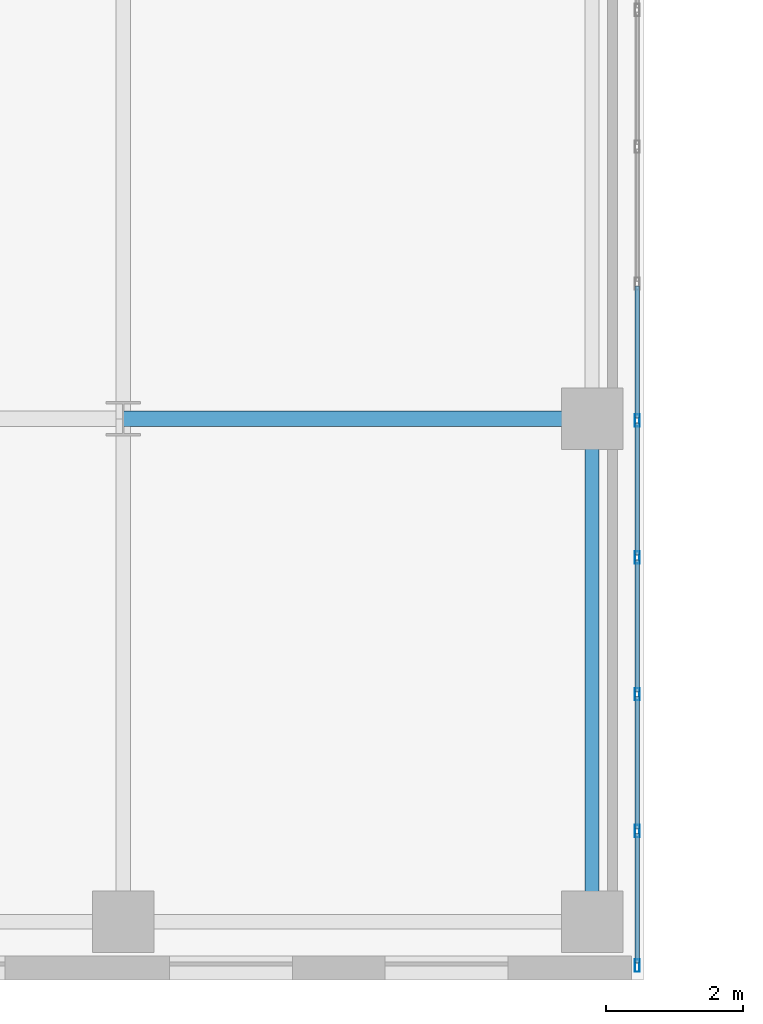
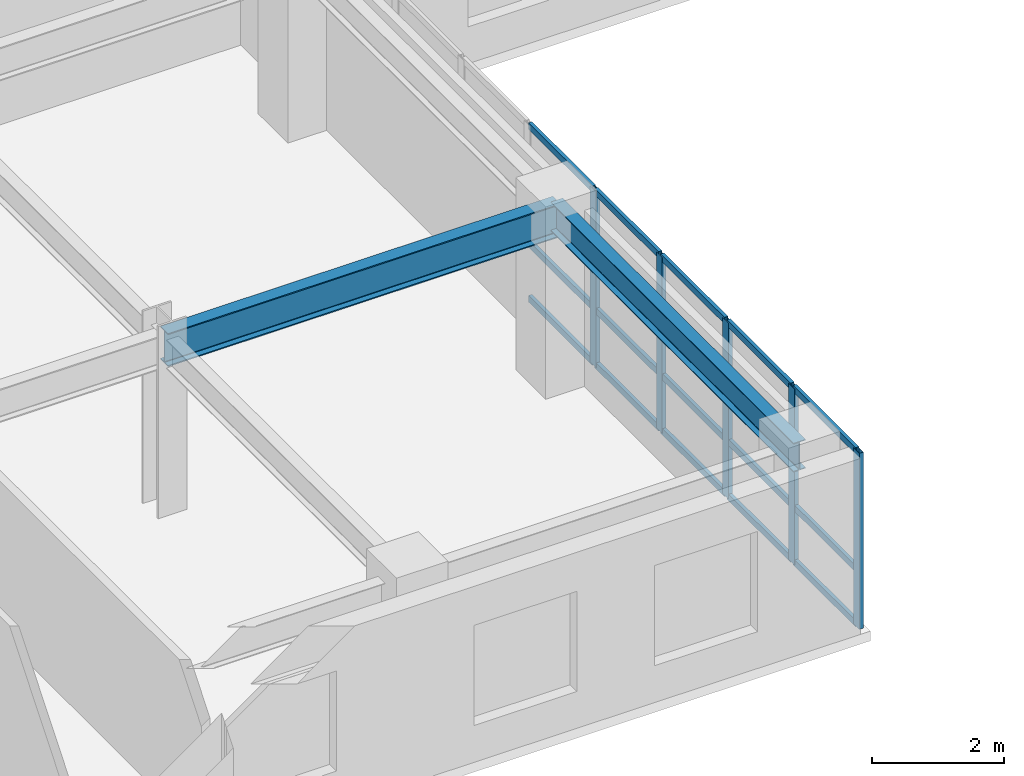
# One storey, part 2 of 16: 20 members, 2 beams, 1 element without a shape of its own.
"""IFC4 building model written with IfcOpenShell, lengths in metres."""

from ifc_helpers import new_model, si_unit, direction, frame, origin, origin_2d, place, context, subcontext, project, spatial, hollow_rectangle, i_section, extrude, source, transform, mapped, material, layer, layer_set, material_profile, profile_set, type_object, type_shapes, element, aggregate, save


model = new_model("IFC4")

# Units and contexts
model_context = context("Model", 3, precision=1e-05, world=origin(), true_north=direction((0.0, 1.0)))
body_context = subcontext(model_context, "Body", "Model", "MODEL_VIEW")
ifc_project = project(units=[si_unit("LENGTHUNIT", "METRE"), si_unit("AREAUNIT", "SQUARE_METRE"), si_unit("VOLUMEUNIT", "CUBIC_METRE"), si_unit("PLANEANGLEUNIT", "RADIAN"), si_unit("MASSUNIT", "GRAM", prefix="KILO")], contexts=[model_context])

# Site, building, storey
site_placement = place(None, origin())
site = spatial("IfcSite", under=ifc_project, at=site_placement, CompositionType="ELEMENT")
building_placement = place(site_placement, origin())
building = spatial("IfcBuilding", under=site, at=building_placement, Name="Tolvann Quenvar Hotel", CompositionType="ELEMENT")
storey_placement = place(building_placement, frame((0.0, 0.0, 92.35009765625)))
storey = spatial("IfcBuildingStorey", under=building, at=storey_placement, Name="L23", CompositionType="ELEMENT", Elevation=92.35009765625)

# Beams
ifc_material_1 = material(Name="Steel Grade 350", Category="steel")
ifc_material_profile_1 = material_profile(ifc_material_1, i_section(OverallWidth=0.22900390625, OverallDepth=0.612060546875, WebThickness=0.011962890625, FlangeThickness=0.01953125, FilletRadius=0.013916015625, at=origin_2d()), Name="610UB125")
ifc_profile_set_1 = profile_set([ifc_material_profile_1], Name="Steel Grade 350")
beam_type_1 = type_object("IfcBeamType", Name="BM_GIRD_610UB125", PredefinedType="BEAM", material=ifc_profile_set_1)
shared_shape_1 = source(origin(), body_context, "Body", "SweptSolid", [
    extrude(i_section(OverallWidth=0.22900390625, OverallDepth=0.612060546875, WebThickness=0.011962890625, FlangeThickness=0.01953125, FilletRadius=0.013916015625, at=origin_2d()), origin(), (0.0, 0.0, 1.0), 6.85009765625),
])
type_shapes(beam_type_1, [shared_shape_1])
beam_1_placement = place(storey_placement, frame((15.199951171875, 8.199951171875, 2.94384765625), z_axis=(1.0, 0.0, 0.0), x_axis=(0.0, 1.0, 0.0)))
element("IfcBeam", 1, at=beam_1_placement, inside=storey, type_object=beam_type_1, Name="BM-L23-EW-3-D3-E3", PredefinedType="BEAM", context=body_context, shape_type="MappedRepresentation", body=[
    mapped(shared_shape_1, transform((0.0, 0.0, 0.0), x_axis=(1.0, 0.0, 0.0), y_axis=(0.0, 1.0, 0.0), z_axis=(0.0, 0.0, 1.0), scale=1.0)),
])
ifc_material_profile_2 = material_profile(ifc_material_1, i_section(OverallWidth=0.208984375, OverallDepth=0.532958984375, WebThickness=0.01025390625, FlangeThickness=0.015625, FilletRadius=0.013916015625, at=origin_2d()), Name="530UB92")
ifc_profile_set_2 = profile_set([ifc_material_profile_2], Name="Steel Grade 350")
beam_type_2 = type_object("IfcBeamType", Name="BM_GIRD_530UB92", PredefinedType="BEAM", material=ifc_profile_set_2)
shared_shape_2 = source(origin(), body_context, "Body", "SweptSolid", [
    extrude(i_section(OverallWidth=0.208984375, OverallDepth=0.532958984375, WebThickness=0.01025390625, FlangeThickness=0.015625, FilletRadius=0.013916015625, at=origin_2d()), origin(), (0.0, 0.0, 1.0), 7.349853515625),
])
type_shapes(beam_type_2, [shared_shape_2])
beam_2_placement = place(storey_placement, frame((22.050048828125, 0.85009765625, 2.9833984375), z_axis=(0.0, 1.0, 0.0), x_axis=(-1.0, 0.0, 0.0)))
element("IfcBeam", 2, at=beam_2_placement, inside=storey, type_object=beam_type_2, Name="BM-L23-NS-E2-E3", PredefinedType="BEAM", context=body_context, shape_type="MappedRepresentation", body=[
    mapped(shared_shape_2, transform((0.0, 0.0, 0.0), x_axis=(1.0, 0.0, 0.0), y_axis=(0.0, 1.0, 0.0), z_axis=(0.0, 0.0, 1.0), scale=1.0)),
])

# Curtain wall, members
ifc_material_2 = material(Name="Thermally broken anodised architectural aluminium 6063-T6 and laminated low-E glass", Category="aluminium")
ifc_layer = layer(ifc_material_2, 0.179931640625)
ifc_layer_set = layer_set([ifc_layer], Name="Thermally broken anodised architectural aluminium 6063-T6 and laminated low-E glass")
curtain_wall_type = type_object("IfcCurtainWallType", Name="CW_SYS_SLOT_03", PredefinedType="USERDEFINED", material=ifc_layer_set)
curtain_wall_placement = place(storey_placement, origin())
curtain_wall = element("IfcCurtainWall", 3, at=curtain_wall_placement, inside=storey, type_object=curtain_wall_type, Name="Curtain Wall CW-SLOT-03 (CWR-L23-E05)", ObjectType="UNITISED CURTAIN WALL", PredefinedType="USERDEFINED")
ifc_material_3 = material(Name="Anodised architectural aluminium 6063-T6 framing", Category="aluminium")
ifc_material_profile_3 = material_profile(ifc_material_3, hollow_rectangle(XDim=0.06005859375, YDim=0.1201171875, WallThickness=0.00341796875, at=origin_2d()), Name="120x60x3.5RHS")
ifc_profile_set_3 = profile_set([ifc_material_profile_3], Name="Anodised architectural aluminium 6063-T6 framing")
member_type_1 = type_object("IfcMemberType", Name="CW_TRAN_120x60", PredefinedType="USERDEFINED", material=ifc_profile_set_3)
shared_shape_3 = source(origin(), body_context, "Body", "SweptSolid", [
    extrude(hollow_rectangle(XDim=0.06005859375, YDim=0.1201171875, WallThickness=0.00341796875, at=origin_2d()), origin(), (0.0, 0.0, 1.0), 1.894775390625),
])
member_1_placement = place(storey_placement, frame((22.7099609375, 0.2451171875, 0.02978515625), z_axis=(0.0, 1.0, 0.0), x_axis=(-1.0, 0.0, 0.0)))
member_1 = element("IfcMember", 4, at=member_1_placement, type_object=member_type_1, Name="CW-SLOT-03 transom 1.1", ObjectType="TRANSOM", PredefinedType="USERDEFINED", context=body_context, shape_type="MappedRepresentation", body=[
    mapped(shared_shape_3, transform((0.0, 0.0, 0.0), x_axis=(1.0, 0.0, 0.0), y_axis=(0.0, 1.0, 0.0), z_axis=(0.0, 0.0, 1.0), scale=1.0)),
])
member_2_placement = place(storey_placement, frame((22.7099609375, 0.2451171875, 1.039794921875), z_axis=(0.0, 1.0, 0.0), x_axis=(-1.0, 0.0, 0.0)))
member_2 = element("IfcMember", 5, at=member_2_placement, type_object=member_type_1, Name="CW-SLOT-03 transom 1.2", ObjectType="TRANSOM", PredefinedType="USERDEFINED", context=body_context, shape_type="MappedRepresentation", body=[
    mapped(shared_shape_3, transform((0.0, 0.0, 0.0), x_axis=(1.0, 0.0, 0.0), y_axis=(0.0, 1.0, 0.0), z_axis=(0.0, 0.0, 1.0), scale=1.0)),
])
member_3_placement = place(storey_placement, frame((22.7099609375, 0.2451171875, 3.219970703125), z_axis=(0.0, 1.0, 0.0), x_axis=(-1.0, 0.0, 0.0)))
member_3 = element("IfcMember", 6, at=member_3_placement, type_object=member_type_1, Name="CW-SLOT-03 transom 1.3", ObjectType="TRANSOM", PredefinedType="USERDEFINED", context=body_context, shape_type="MappedRepresentation", body=[
    mapped(shared_shape_3, transform((0.0, 0.0, 0.0), x_axis=(1.0, 0.0, 0.0), y_axis=(0.0, 1.0, 0.0), z_axis=(0.0, 0.0, 1.0), scale=1.0)),
])
shared_shape_4 = source(origin(), body_context, "Body", "SweptSolid", [
    extrude(hollow_rectangle(XDim=0.06005859375, YDim=0.1201171875, WallThickness=0.00341796875, at=origin_2d()), origin(), (0.0, 0.0, 1.0), 1.929931640625),
])
type_shapes(member_type_1, [shared_shape_3, shared_shape_4])
member_4_placement = place(storey_placement, frame((22.7099609375, 2.2099609375, 0.02978515625), z_axis=(0.0, 1.0, 0.0), x_axis=(-1.0, 0.0, 0.0)))
member_4 = element("IfcMember", 7, at=member_4_placement, type_object=member_type_1, Name="CW-SLOT-03 transom 2.1", ObjectType="TRANSOM", PredefinedType="USERDEFINED", context=body_context, shape_type="MappedRepresentation", body=[
    mapped(shared_shape_4, transform((0.0, 0.0, 0.0), x_axis=(1.0, 0.0, 0.0), y_axis=(0.0, 1.0, 0.0), z_axis=(0.0, 0.0, 1.0), scale=1.0)),
])
member_5_placement = place(storey_placement, frame((22.7099609375, 2.2099609375, 1.039794921875), z_axis=(0.0, 1.0, 0.0), x_axis=(-1.0, 0.0, 0.0)))
member_5 = element("IfcMember", 8, at=member_5_placement, type_object=member_type_1, Name="CW-SLOT-03 transom 2.2", ObjectType="TRANSOM", PredefinedType="USERDEFINED", context=body_context, shape_type="MappedRepresentation", body=[
    mapped(shared_shape_4, transform((0.0, 0.0, 0.0), x_axis=(1.0, 0.0, 0.0), y_axis=(0.0, 1.0, 0.0), z_axis=(0.0, 0.0, 1.0), scale=1.0)),
])
member_6_placement = place(storey_placement, frame((22.7099609375, 2.2099609375, 3.219970703125), z_axis=(0.0, 1.0, 0.0), x_axis=(-1.0, 0.0, 0.0)))
member_6 = element("IfcMember", 9, at=member_6_placement, type_object=member_type_1, Name="CW-SLOT-03 transom 2.3", ObjectType="TRANSOM", PredefinedType="USERDEFINED", context=body_context, shape_type="MappedRepresentation", body=[
    mapped(shared_shape_4, transform((0.0, 0.0, 0.0), x_axis=(1.0, 0.0, 0.0), y_axis=(0.0, 1.0, 0.0), z_axis=(0.0, 0.0, 1.0), scale=1.0)),
])
member_7_placement = place(storey_placement, frame((22.7099609375, 4.2099609375, 0.02978515625), z_axis=(0.0, 1.0, 0.0), x_axis=(-1.0, 0.0, 0.0)))
member_7 = element("IfcMember", 10, at=member_7_placement, type_object=member_type_1, Name="CW-SLOT-03 transom 3.1", ObjectType="TRANSOM", PredefinedType="USERDEFINED", context=body_context, shape_type="MappedRepresentation", body=[
    mapped(shared_shape_4, transform((0.0, 0.0, 0.0), x_axis=(1.0, 0.0, 0.0), y_axis=(0.0, 1.0, 0.0), z_axis=(0.0, 0.0, 1.0), scale=1.0)),
])
member_8_placement = place(storey_placement, frame((22.7099609375, 4.2099609375, 1.039794921875), z_axis=(0.0, 1.0, 0.0), x_axis=(-1.0, 0.0, 0.0)))
member_8 = element("IfcMember", 11, at=member_8_placement, type_object=member_type_1, Name="CW-SLOT-03 transom 3.2", ObjectType="TRANSOM", PredefinedType="USERDEFINED", context=body_context, shape_type="MappedRepresentation", body=[
    mapped(shared_shape_4, transform((0.0, 0.0, 0.0), x_axis=(1.0, 0.0, 0.0), y_axis=(0.0, 1.0, 0.0), z_axis=(0.0, 0.0, 1.0), scale=1.0)),
])
member_9_placement = place(storey_placement, frame((22.7099609375, 4.2099609375, 3.219970703125), z_axis=(0.0, 1.0, 0.0), x_axis=(-1.0, 0.0, 0.0)))
member_9 = element("IfcMember", 12, at=member_9_placement, type_object=member_type_1, Name="CW-SLOT-03 transom 3.3", ObjectType="TRANSOM", PredefinedType="USERDEFINED", context=body_context, shape_type="MappedRepresentation", body=[
    mapped(shared_shape_4, transform((0.0, 0.0, 0.0), x_axis=(1.0, 0.0, 0.0), y_axis=(0.0, 1.0, 0.0), z_axis=(0.0, 0.0, 1.0), scale=1.0)),
])
member_10_placement = place(storey_placement, frame((22.7099609375, 6.2099609375, 0.02978515625), z_axis=(0.0, 1.0, 0.0), x_axis=(-1.0, 0.0, 0.0)))
member_10 = element("IfcMember", 13, at=member_10_placement, type_object=member_type_1, Name="CW-SLOT-03 transom 4.1", ObjectType="TRANSOM", PredefinedType="USERDEFINED", context=body_context, shape_type="MappedRepresentation", body=[
    mapped(shared_shape_4, transform((0.0, 0.0, 0.0), x_axis=(1.0, 0.0, 0.0), y_axis=(0.0, 1.0, 0.0), z_axis=(0.0, 0.0, 1.0), scale=1.0)),
])
member_11_placement = place(storey_placement, frame((22.7099609375, 6.2099609375, 1.039794921875), z_axis=(0.0, 1.0, 0.0), x_axis=(-1.0, 0.0, 0.0)))
member_11 = element("IfcMember", 14, at=member_11_placement, type_object=member_type_1, Name="CW-SLOT-03 transom 4.2", ObjectType="TRANSOM", PredefinedType="USERDEFINED", context=body_context, shape_type="MappedRepresentation", body=[
    mapped(shared_shape_4, transform((0.0, 0.0, 0.0), x_axis=(1.0, 0.0, 0.0), y_axis=(0.0, 1.0, 0.0), z_axis=(0.0, 0.0, 1.0), scale=1.0)),
])
member_12_placement = place(storey_placement, frame((22.7099609375, 6.2099609375, 3.219970703125), z_axis=(0.0, 1.0, 0.0), x_axis=(-1.0, 0.0, 0.0)))
member_12 = element("IfcMember", 15, at=member_12_placement, type_object=member_type_1, Name="CW-SLOT-03 transom 4.3", ObjectType="TRANSOM", PredefinedType="USERDEFINED", context=body_context, shape_type="MappedRepresentation", body=[
    mapped(shared_shape_4, transform((0.0, 0.0, 0.0), x_axis=(1.0, 0.0, 0.0), y_axis=(0.0, 1.0, 0.0), z_axis=(0.0, 0.0, 1.0), scale=1.0)),
])
member_13_placement = place(storey_placement, frame((22.7099609375, 8.2099609375, 0.02978515625), z_axis=(0.0, 1.0, 0.0), x_axis=(-1.0, 0.0, 0.0)))
member_13 = element("IfcMember", 16, at=member_13_placement, type_object=member_type_1, Name="CW-SLOT-03 transom 5.1", ObjectType="TRANSOM", PredefinedType="USERDEFINED", context=body_context, shape_type="MappedRepresentation", body=[
    mapped(shared_shape_4, transform((0.0, 0.0, 0.0), x_axis=(1.0, 0.0, 0.0), y_axis=(0.0, 1.0, 0.0), z_axis=(0.0, 0.0, 1.0), scale=1.0)),
])
member_14_placement = place(storey_placement, frame((22.7099609375, 8.2099609375, 1.039794921875), z_axis=(0.0, 1.0, 0.0), x_axis=(-1.0, 0.0, 0.0)))
member_14 = element("IfcMember", 17, at=member_14_placement, type_object=member_type_1, Name="CW-SLOT-03 transom 5.2", ObjectType="TRANSOM", PredefinedType="USERDEFINED", context=body_context, shape_type="MappedRepresentation", body=[
    mapped(shared_shape_4, transform((0.0, 0.0, 0.0), x_axis=(1.0, 0.0, 0.0), y_axis=(0.0, 1.0, 0.0), z_axis=(0.0, 0.0, 1.0), scale=1.0)),
])
member_15_placement = place(storey_placement, frame((22.7099609375, 8.2099609375, 3.219970703125), z_axis=(0.0, 1.0, 0.0), x_axis=(-1.0, 0.0, 0.0)))
member_15 = element("IfcMember", 18, at=member_15_placement, type_object=member_type_1, Name="CW-SLOT-03 transom 5.3", ObjectType="TRANSOM", PredefinedType="USERDEFINED", context=body_context, shape_type="MappedRepresentation", body=[
    mapped(shared_shape_4, transform((0.0, 0.0, 0.0), x_axis=(1.0, 0.0, 0.0), y_axis=(0.0, 1.0, 0.0), z_axis=(0.0, 0.0, 1.0), scale=1.0)),
])
ifc_material_profile_4 = material_profile(ifc_material_3, hollow_rectangle(XDim=0.070068359375, YDim=0.179931640625, WallThickness=0.00390625, at=origin_2d()), Name="180x70x4RHS")
ifc_profile_set_4 = profile_set([ifc_material_profile_4], Name="Anodised architectural aluminium 6063-T6 framing")
member_type_2 = type_object("IfcMemberType", Name="CW_MULL_180x70", PredefinedType="MULLION", material=ifc_profile_set_4)
shared_shape_5 = source(origin(), body_context, "Body", "SweptSolid", [
    extrude(hollow_rectangle(XDim=0.070068359375, YDim=0.179931640625, WallThickness=0.00390625, at=origin_2d()), origin(), (0.0, 0.0, 1.0), 3.25),
])
type_shapes(member_type_2, [shared_shape_5])
member_16_placement = place(storey_placement, frame((22.7099609375, 0.2099609375, 0.0), z_axis=(0.0, 0.0, 1.0), x_axis=(-1.0, 0.0, 0.0)))
member_16 = element("IfcMember", 19, at=member_16_placement, type_object=member_type_2, Name="CW-SLOT-03 mullion 1", PredefinedType="MULLION", context=body_context, shape_type="MappedRepresentation", body=[
    mapped(shared_shape_5, transform((0.0, 0.0, 0.0), x_axis=(1.0, 0.0, 0.0), y_axis=(0.0, 1.0, 0.0), z_axis=(0.0, 0.0, 1.0), scale=1.0)),
])
member_17_placement = place(storey_placement, frame((22.7099609375, 2.175048828125, 0.0), z_axis=(0.0, 0.0, 1.0), x_axis=(-1.0, 0.0, 0.0)))
member_17 = element("IfcMember", 20, at=member_17_placement, type_object=member_type_2, Name="CW-SLOT-03 mullion 2", PredefinedType="MULLION", context=body_context, shape_type="MappedRepresentation", body=[
    mapped(shared_shape_5, transform((0.0, 0.0, 0.0), x_axis=(1.0, 0.0, 0.0), y_axis=(0.0, 1.0, 0.0), z_axis=(0.0, 0.0, 1.0), scale=1.0)),
])
member_18_placement = place(storey_placement, frame((22.7099609375, 4.175048828125, 0.0), z_axis=(0.0, 0.0, 1.0), x_axis=(-1.0, 0.0, 0.0)))
member_18 = element("IfcMember", 21, at=member_18_placement, type_object=member_type_2, Name="CW-SLOT-03 mullion 3", PredefinedType="MULLION", context=body_context, shape_type="MappedRepresentation", body=[
    mapped(shared_shape_5, transform((0.0, 0.0, 0.0), x_axis=(1.0, 0.0, 0.0), y_axis=(0.0, 1.0, 0.0), z_axis=(0.0, 0.0, 1.0), scale=1.0)),
])
member_19_placement = place(storey_placement, frame((22.7099609375, 6.175048828125, 0.0), z_axis=(0.0, 0.0, 1.0), x_axis=(-1.0, 0.0, 0.0)))
member_19 = element("IfcMember", 22, at=member_19_placement, type_object=member_type_2, Name="CW-SLOT-03 mullion 4", PredefinedType="MULLION", context=body_context, shape_type="MappedRepresentation", body=[
    mapped(shared_shape_5, transform((0.0, 0.0, 0.0), x_axis=(1.0, 0.0, 0.0), y_axis=(0.0, 1.0, 0.0), z_axis=(0.0, 0.0, 1.0), scale=1.0)),
])
member_20_placement = place(storey_placement, frame((22.7099609375, 8.175048828125, 0.0), z_axis=(0.0, 0.0, 1.0), x_axis=(-1.0, 0.0, 0.0)))
member_20 = element("IfcMember", 23, at=member_20_placement, type_object=member_type_2, Name="CW-SLOT-03 mullion 5", PredefinedType="MULLION", context=body_context, shape_type="MappedRepresentation", body=[
    mapped(shared_shape_5, transform((0.0, 0.0, 0.0), x_axis=(1.0, 0.0, 0.0), y_axis=(0.0, 1.0, 0.0), z_axis=(0.0, 0.0, 1.0), scale=1.0)),
])
aggregate(curtain_wall, [member_16, member_17, member_18, member_19, member_20, member_1, member_2, member_3, member_4, member_5, member_6, member_7, member_8, member_9, member_10, member_11, member_12, member_13, member_14, member_15])

save(model, "model.ifc")
